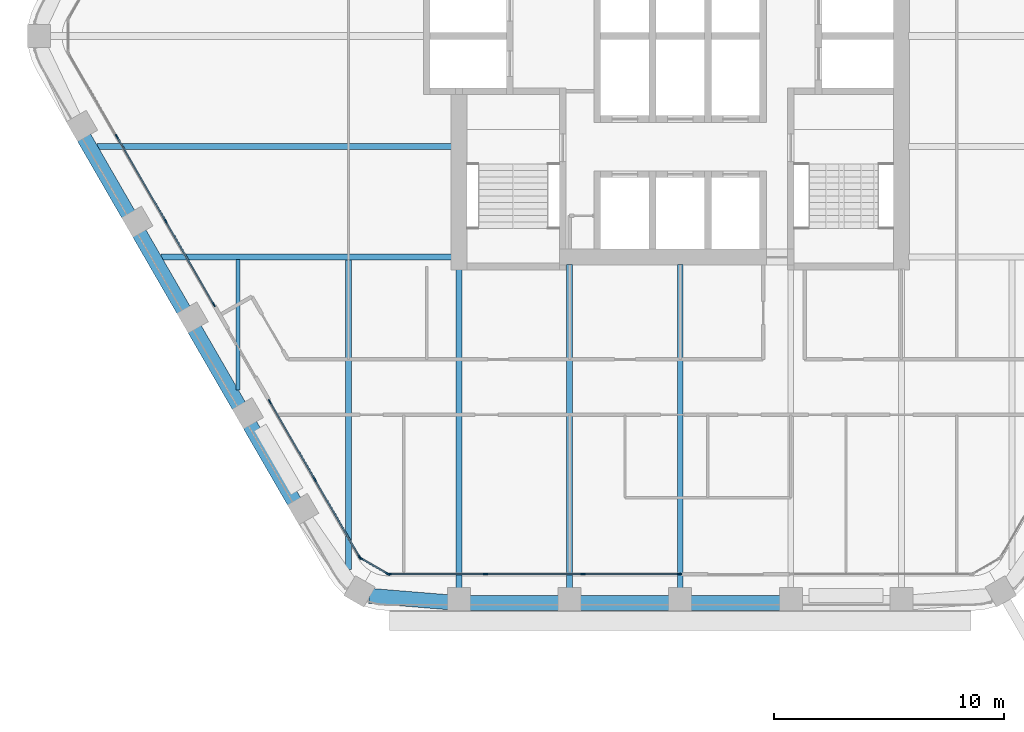
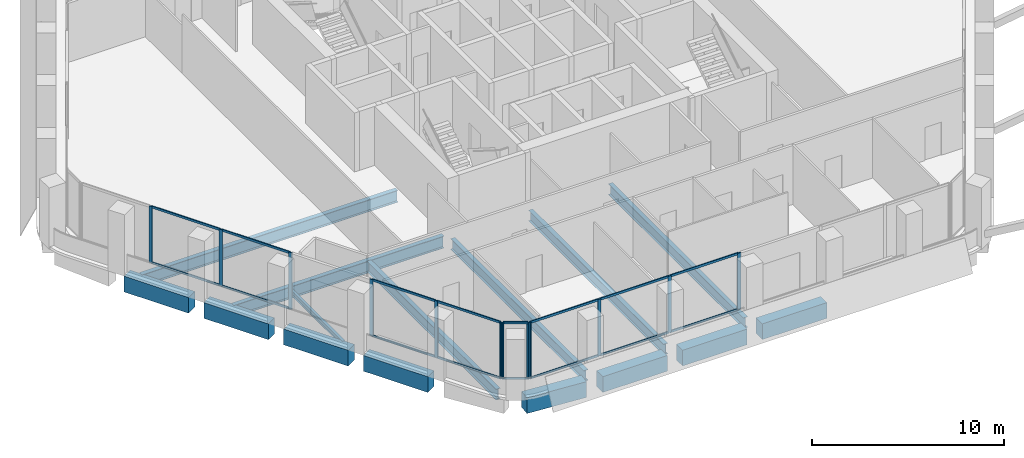
# One storey, part 2 of 16: 28 members, 15 beams, 4 elements without a shape of their own.
"""IFC4 building model written with IfcOpenShell, lengths in metres."""

import ifcopenshell
import ifcopenshell.guid

model = None  # the IFC model being written
_history = None  # IfcOwnerHistory: only IFC2X3 demands one
_inside = {}  # id of a spatial element -> (the spatial element, [elements in it])
_under = {}  # id of a project, library or spatial element -> (it, [spatial elements below it])
_declared = {}  # id of a project -> (the project, [libraries it declares])
_typed = {}  # id of a type object -> (the type object, [elements of that type])
_made_of = {}  # id of a material, layer set ... -> (it, [elements and type objects made of it])


def new_model(schema):
    """Start an empty IFC model of exactly this schema.

    Asked for "IFC4X3", IfcOpenShell would pick the latest addendum, in which some entities
    have other attributes; the version numbers below select the first issue.
    IFC2X3 requires an IfcOwnerHistory on every rooted entity: one is made here for all.
    """
    global model, _history
    if schema == "IFC4X3":
        model = ifcopenshell.file(schema_version=(4, 3, 0, 0))
    else:
        model = ifcopenshell.file(schema=schema)
    _inside.clear()
    _under.clear()
    _declared.clear()
    _typed.clear()
    _made_of.clear()
    _history = None
    if model.schema == "IFC2X3":
        org = make("IfcOrganization", Name="unknown")
        user = make(
            "IfcPersonAndOrganization",
            ThePerson=make("IfcPerson", FamilyName="unknown"),
            TheOrganization=org,
        )
        app = make(
            "IfcApplication",
            ApplicationDeveloper=org,
            Version="unknown",
            ApplicationFullName="unknown",
            ApplicationIdentifier="unknown",
        )
        _history = make(
            "IfcOwnerHistory",
            OwningUser=user,
            OwningApplication=app,
            ChangeAction="ADDED",
            CreationDate=0,
        )
    return model


def make(cls, **values):
    """One entity of the class cls with the attributes given. An attribute that is None is left unset."""
    return model.create_entity(
        cls, **{name: value for name, value in values.items() if value is not None}
    )


def rooted(cls, **values):
    """An entity with a GlobalId (a new one), such as an element, a storey or a relation."""
    return make(cls, GlobalId=ifcopenshell.guid.new(), OwnerHistory=_history, **values)


def si_unit(unit_type, name, prefix=None):
    """IfcSIUnit, for example si_unit("LENGTHUNIT", "METRE", prefix="MILLI")."""
    return make("IfcSIUnit", UnitType=unit_type, Prefix=prefix, Name=name)


def assignment(units):
    """IfcUnitAssignment: the units of a project."""
    return None if units is None else make("IfcUnitAssignment", Units=units)


def point(xyz):
    """IfcCartesianPoint."""
    return None if xyz is None else make("IfcCartesianPoint", Coordinates=xyz)


def direction(xyz):
    """IfcDirection."""
    return None if xyz is None else make("IfcDirection", DirectionRatios=xyz)


def frame(location, z_axis=None, x_axis=None):
    """IfcAxis2Placement3D, a coordinate frame: its origin and axes. An axis left out is left unset."""
    return make(
        "IfcAxis2Placement3D",
        Location=point(location),
        Axis=direction(z_axis),
        RefDirection=direction(x_axis),
    )


def frame_2d(location, x_axis=None):
    """IfcAxis2Placement2D, a coordinate frame in the plane: its origin and x axis."""
    return make(
        "IfcAxis2Placement2D", Location=point(location), RefDirection=direction(x_axis)
    )


def origin():
    """The frame at (0, 0, 0) with its axes left unset."""
    return frame((0.0, 0.0, 0.0))


def origin_2d():
    """The frame at (0, 0) in the plane with its x axis left unset."""
    return frame_2d((0.0, 0.0))


def place(relative_to, where):
    """IfcLocalPlacement: puts the frame where relative to a parent placement (None: the world)."""
    return make(
        "IfcLocalPlacement", PlacementRelTo=relative_to, RelativePlacement=where
    )


def context(
    kind, dimensions, precision=None, world=None, true_north=None, identifier=None
):
    """IfcGeometricRepresentationContext, for example the 3D "Model" context."""
    return make(
        "IfcGeometricRepresentationContext",
        ContextIdentifier=identifier,
        ContextType=kind,
        CoordinateSpaceDimension=dimensions,
        Precision=precision,
        WorldCoordinateSystem=world,
        TrueNorth=true_north,
    )


def subcontext(parent, identifier, kind, view, scale=None):
    """IfcGeometricRepresentationSubContext, for example "Body" below "Model"."""
    return make(
        "IfcGeometricRepresentationSubContext",
        ContextIdentifier=identifier,
        ContextType=kind,
        ParentContext=parent,
        TargetScale=scale,
        TargetView=view,
    )


def project(units=None, contexts=None):
    """IfcProject with its units and contexts."""
    return rooted(
        "IfcProject",
        Name="project",
        RepresentationContexts=contexts,
        UnitsInContext=assignment(units),
    )


def spatial(cls, under=None, at=None, **own):
    """A site, building, storey or space (cls), placed at a placement, below another one or the project."""
    s = rooted(cls, ObjectPlacement=at, **own)
    if under is not None:
        _under.setdefault(under.id(), (under, []))[1].append(s)
    return s


def profile(cls, at=None, kind="AREA", **sizes):
    """A parametric profile (cls). Its sizes go by their IFC names, for example OverallWidth=200.0."""
    return make(cls, ProfileType=kind, Position=at, **sizes)


def rectangle(**sizes):
    """IfcRectangleProfileDef."""
    return profile("IfcRectangleProfileDef", **sizes)


def i_section(**sizes):
    """IfcIShapeProfileDef."""
    return profile("IfcIShapeProfileDef", **sizes)


def extrude(swept, where, along, depth):
    """IfcExtrudedAreaSolid: the profile swept, set in the frame where, extruded along a direction by depth."""
    return make(
        "IfcExtrudedAreaSolid",
        SweptArea=swept,
        Position=where,
        ExtrudedDirection=direction(along),
        Depth=depth,
    )


def shape(context_of_items, identifier, shape_type, items):
    """IfcShapeRepresentation: the items that make up one representation, for example the "Body"."""
    return make(
        "IfcShapeRepresentation",
        ContextOfItems=context_of_items,
        RepresentationIdentifier=identifier,
        RepresentationType=shape_type,
        Items=items,
    )


def material(Name=None, Category=None):
    """IfcMaterial."""
    return make("IfcMaterial", Name=Name, Category=Category)


def material_profile(
    of_material, cross_section, Name=None, Category=None, Priority=None
):
    """IfcMaterialProfile: a cross section and its material."""
    return make(
        "IfcMaterialProfile",
        Name=Name,
        Material=of_material,
        Profile=cross_section,
        Priority=Priority,
        Category=Category,
    )


def profile_set(profiles, Name=None, composite=None):
    """IfcMaterialProfileSet."""
    return make(
        "IfcMaterialProfileSet",
        Name=Name,
        MaterialProfiles=profiles,
        CompositeProfile=composite,
    )


def made_of(thing, what):
    """Note that an element or type object is made of a material, layer set ...; save() writes the relation."""
    if what is not None:
        _made_of.setdefault(what.id(), (what, []))[1].append(thing)
    return thing


def type_object(cls, material=None, **own):
    """A type object (cls), such as IfcWallType, which elements share."""
    return made_of(rooted(cls, **own), material)


def element(
    cls,
    number,
    at=None,
    inside=None,
    cuts=None,
    type_object=None,
    material=None,
    context=None,
    identifier="Body",
    shape_type=None,
    held_by="IfcProductDefinitionShape",
    body=None,
    shapes=None,
    **own,
):
    """One element of the class cls, such as IfcWall. Its Tag is "e" and its number.

    at: its placement. inside: the storey or other place that contains it. cuts: it is an
    opening in that element (IfcRelVoidsElement). A single representation is given by context,
    identifier, shape_type and body (its items); several are given by shapes. held_by: the class
    of the entity that holds the representations. save() writes the other relations.
    """
    e = rooted(cls, Tag="e%d" % number, ObjectPlacement=at, **own)
    if body is not None:
        shapes = [shape(context, identifier, shape_type, body)]
    if shapes is not None:
        e.Representation = make(held_by, Representations=shapes)
    if inside is not None:
        _inside.setdefault(inside.id(), (inside, []))[1].append(e)
    if cuts is not None:
        rooted(
            "IfcRelVoidsElement", RelatingBuildingElement=cuts, RelatedOpeningElement=e
        )
    if type_object is not None:
        _typed.setdefault(type_object.id(), (type_object, []))[1].append(e)
    return made_of(e, material)


def aggregate(whole, parts):
    """IfcRelAggregates: a whole, such as a stair, and the parts it consists of."""
    return rooted("IfcRelAggregates", RelatingObject=whole, RelatedObjects=parts)


def save(model, path):
    """Write the relations noted so far, then the file.

    IfcRelAggregates (storeys below a building ...), IfcRelContainedInSpatialStructure (elements
    in a storey), IfcRelDefinesByType, IfcRelAssociatesMaterial and IfcRelDeclares: one each for
    every whole, place, type object, material and project.
    """
    for whole, parts in _under.values():
        aggregate(whole, parts)
    for where, things in _inside.values():
        rooted(
            "IfcRelContainedInSpatialStructure",
            RelatedElements=things,
            RelatingStructure=where,
        )
    for kind, things in _typed.values():
        rooted("IfcRelDefinesByType", RelatedObjects=things, RelatingType=kind)
    for what, things in _made_of.values():
        rooted("IfcRelAssociatesMaterial", RelatedObjects=things, RelatingMaterial=what)
    for by, libraries in _declared.values():
        rooted("IfcRelDeclares", RelatingContext=by, RelatedDefinitions=libraries)
    model.write(path)


model = new_model("IFC4")

# Units and contexts
model_context = context("Model", 3, precision=1e-05, world=origin(), true_north=direction((0.0, 1.0)))
body_context = subcontext(model_context, "Body", "Model", "MODEL_VIEW")
ifc_project = project(units=[si_unit("LENGTHUNIT", "METRE"), si_unit("AREAUNIT", "SQUARE_METRE"), si_unit("VOLUMEUNIT", "CUBIC_METRE"), si_unit("PLANEANGLEUNIT", "RADIAN"), si_unit("MASSUNIT", "GRAM", prefix="KILO")], contexts=[model_context])

# Site, building, storey
site_placement = place(None, origin())
site = spatial("IfcSite", under=ifc_project, at=site_placement, CompositionType="ELEMENT")
building_placement = place(site_placement, origin())
building = spatial("IfcBuilding", under=site, at=building_placement, Name="Kolab Exchange Tower", CompositionType="ELEMENT")
storey_placement = place(building_placement, frame((0.0, 0.0, 177.800048828125)))
storey = spatial("IfcBuildingStorey", under=building, at=storey_placement, Name="L37", CompositionType="ELEMENT", Elevation=177.800048828125)

# Beams
ifc_material_1 = material(Name="Steel S355", Category="steel")
ifc_material_profile_1 = material_profile(ifc_material_1, i_section(OverallWidth=0.1650390625, OverallDepth=0.31005859375, WebThickness=0.005859375, FlangeThickness=0.009765625, at=origin_2d()), Name="W310X39")
ifc_profile_set_1 = profile_set([ifc_material_profile_1], Name="Steel S355")
beam_type_1 = type_object("IfcBeamType", Name="FLOOR BEAM W310X39", PredefinedType="BEAM", material=ifc_profile_set_1)
beam_1_placement = place(storey_placement, frame((-19.199951171875, -15.36767578125, -0.304931640625), z_axis=(0.0, 1.0, 0.0), x_axis=(-1.0, 0.0, 0.0)))
element("IfcBeam", 1, at=beam_1_placement, inside=storey, type_object=beam_type_1, Name="beam/L37/fr/003", PredefinedType="BEAM", context=body_context, shape_type="SweptSolid", body=[
    extrude(i_section(OverallWidth=0.1650390625, OverallDepth=0.31005859375, WebThickness=0.005859375, FlangeThickness=0.009765625, at=origin_2d()), origin(), (0.0, 0.0, 1.0), 5.674072265625),
])
ifc_material_profile_2 = material_profile(ifc_material_1, i_section(OverallWidth=0.25390625, OverallDepth=0.68408203125, WebThickness=0.012451171875, FlangeThickness=0.018798828125, at=origin_2d()), Name="W690X140")
ifc_profile_set_2 = profile_set([ifc_material_profile_2], Name="Steel S355")
beam_type_2 = type_object("IfcBeamType", Name="FLOOR BEAM W690X140", PredefinedType="BEAM", material=ifc_profile_set_2)
beam_2_placement = place(storey_placement, frame((-14.39990234375, -23.15576171875, -0.491943359375), z_axis=(0.0, 1.0, 0.0), x_axis=(-1.0, 0.0, 0.0)))
element("IfcBeam", 2, at=beam_2_placement, inside=storey, type_object=beam_type_2, Name="beam/L37/fr/005", PredefinedType="BEAM", context=body_context, shape_type="SweptSolid", body=[
    extrude(i_section(OverallWidth=0.25390625, OverallDepth=0.68408203125, WebThickness=0.012451171875, FlangeThickness=0.018798828125, at=origin_2d()), origin(), (0.0, 0.0, 1.0), 13.462158203125),
])
beam_3_placement = place(storey_placement, frame((-9.60009765625, -23.9814453125, -0.491943359375), z_axis=(0.0, 1.0, 0.0), x_axis=(-1.0, 0.0, 0.0)))
element("IfcBeam", 3, at=beam_3_placement, inside=storey, type_object=beam_type_2, Name="beam/L37/fr/007", PredefinedType="BEAM", context=body_context, shape_type="SweptSolid", body=[
    extrude(i_section(OverallWidth=0.25390625, OverallDepth=0.68408203125, WebThickness=0.012451171875, FlangeThickness=0.018798828125, at=origin_2d()), origin(), (0.0, 0.0, 1.0), 13.871337890625),
])
for number, where, z_axis, x_axis, name in (
    (4, (-4.800048828125, -23.9814453125, -0.491943359375), (0.0, 1.0, 0.0), (-1.0, 0.0, 0.0), "beam/L37/fr/009"),
    (5, (0.0, -23.9814453125, -0.491943359375), (0.0, 1.0, 0.0), (-1.0, 0.0, 0.0), "beam/L37/fr/011"),
):
    element("IfcBeam", number, at=place(storey_placement, frame(where, z_axis=z_axis, x_axis=x_axis)), inside=storey, type_object=beam_type_2, Name=name, PredefinedType="BEAM", context=body_context, shape_type="SweptSolid", body=[
        extrude(i_section(OverallWidth=0.25390625, OverallDepth=0.68408203125, WebThickness=0.012451171875, FlangeThickness=0.018798828125, at=origin_2d()), origin(), (0.0, 0.0, 1.0), 14.071533203125),
    ])
ifc_material_profile_3 = material_profile(ifc_material_1, i_section(OverallWidth=0.26708984375, OverallDepth=0.761962890625, WebThickness=0.014404296875, FlangeThickness=0.021484375, at=origin_2d()), Name="W760X173")
ifc_profile_set_3 = profile_set([ifc_material_profile_3], Name="Steel S355")
beam_type_3 = type_object("IfcBeamType", Name="FLOOR BEAM W760X173", PredefinedType="BEAM", material=ifc_profile_set_3)
beam_4_placement = place(storey_placement, frame((-25.318115234375, -4.800048828125, -0.531005859375), z_axis=(1.0, 0.0, 0.0), x_axis=(0.0, 1.0, 0.0)))
element("IfcBeam", 6, at=beam_4_placement, inside=storey, type_object=beam_type_3, Name="beam/L37/fr/001", PredefinedType="BEAM", context=body_context, shape_type="SweptSolid", body=[
    extrude(i_section(OverallWidth=0.26708984375, OverallDepth=0.761962890625, WebThickness=0.014404296875, FlangeThickness=0.021484375, at=origin_2d()), origin(), (0.0, 0.0, 1.0), 15.408203125),
])
ifc_material_profile_4 = material_profile(ifc_material_1, i_section(OverallWidth=0.26708984375, OverallDepth=0.761962890625, WebThickness=0.014404296875, FlangeThickness=0.021484375, at=origin_2d()), Name="W760X173")
ifc_profile_set_4 = profile_set([ifc_material_profile_4], Name="Steel S355")
beam_type_4 = type_object("IfcBeamType", Name="FLOOR GIRDER W760X173", PredefinedType="BEAM", material=ifc_profile_set_4)
beam_5_placement = place(storey_placement, frame((-22.546875, -9.60009765625, -0.531005859375), z_axis=(1.0, 0.0, 0.0), x_axis=(0.0, 1.0, 0.0)))
element("IfcBeam", 7, at=beam_5_placement, inside=storey, type_object=beam_type_4, Name="beam/L37/gd/000", PredefinedType="BEAM", context=body_context, shape_type="SweptSolid", body=[
    extrude(i_section(OverallWidth=0.26708984375, OverallDepth=0.761962890625, WebThickness=0.014404296875, FlangeThickness=0.021484375, at=origin_2d()), origin(), (0.0, 0.0, 1.0), 12.636962890625),
])
ifc_material_2 = material(Name="Concrete C60/75", Category="concrete")
ifc_material_profile_5 = material_profile(ifc_material_2, rectangle(XDim=0.64990234375, YDim=1.0, at=origin_2d()), Name="RC650X1000")
ifc_profile_set_5 = profile_set([ifc_material_profile_5], Name="Concrete C60/75")
beam_type_5 = type_object("IfcBeamType", Name="SPANDREL BEAM 650X1000 C60/75", PredefinedType="BEAM", material=ifc_profile_set_5)
for number, where, z_axis, x_axis, name in (
    (8, (4.340087890625, -24.616455078125, -0.650146484375), (-1.0, 0.0, 0.0), (0.0, -1.0, 0.0), "beam/L37/sp/F4-03"),
    (9, (-0.4599609375, -24.616455078125, -0.650146484375), (-1.0, 0.0, 0.0), (0.0, -1.0, 0.0), "beam/L37/sp/F4-04"),
):
    element("IfcBeam", number, at=place(storey_placement, frame(where, z_axis=z_axis, x_axis=x_axis)), inside=storey, type_object=beam_type_5, Name=name, PredefinedType="BEAM", context=body_context, shape_type="SweptSolid", body=[
        extrude(rectangle(XDim=0.64990234375, YDim=1.0, at=origin_2d()), origin(), (0.0, 0.0, 1.0), 3.880126953125),
    ])
beam_6_placement = place(storey_placement, frame((-5.260009765625, -24.616455078125, -0.650146484375), z_axis=(-1.0, 0.0, 0.0), x_axis=(0.0, -1.0, 0.0)))
element("IfcBeam", 10, at=beam_6_placement, inside=storey, type_object=beam_type_5, Name="beam/L37/sp/F4-05", PredefinedType="BEAM", context=body_context, shape_type="SweptSolid", body=[
    extrude(rectangle(XDim=0.64990234375, YDim=1.0, at=origin_2d()), origin(), (0.0, 0.0, 1.0), 3.8798828125),
])
beam_7_placement = place(storey_placement, frame((-10.06005859375, -24.5791015625, -0.650146484375), z_axis=(-0.996708497182, 0.081068931445, 0.0), x_axis=(-0.081068931445, -0.996708497182, 0.0)))
element("IfcBeam", 11, at=beam_7_placement, inside=storey, type_object=beam_type_5, Name="beam/L37/sp/F4-06", PredefinedType="BEAM", context=body_context, shape_type="SweptSolid", body=[
    extrude(rectangle(XDim=0.64990234375, YDim=1.0, at=origin_2d()), origin(), (0.0, 0.0, 1.0), 3.445068359375),
])
beam_8_placement = place(storey_placement, frame((-16.74853515625, -20.2236328125, -0.650146484375), z_axis=(-0.499996613652, 0.866027358884, 0.0), x_axis=(-0.866027358884, -0.499996613652, 0.0)))
element("IfcBeam", 12, at=beam_8_placement, inside=storey, type_object=beam_type_5, Name="beam/L37/sp/F5-02", PredefinedType="BEAM", context=body_context, shape_type="SweptSolid", body=[
    extrude(rectangle(XDim=0.64990234375, YDim=1.0, at=origin_2d()), origin(), (0.0, 0.0, 1.0), 3.8798828125),
])
beam_9_placement = place(storey_placement, frame((-19.1484375, -16.06689453125, -0.650146484375), z_axis=(-0.50001655835, 0.866015843605, 0.0), x_axis=(-0.866015843605, -0.50001655835, 0.0)))
element("IfcBeam", 13, at=beam_9_placement, inside=storey, type_object=beam_type_5, Name="beam/L37/sp/F5-03", PredefinedType="BEAM", context=body_context, shape_type="SweptSolid", body=[
    extrude(rectangle(XDim=0.64990234375, YDim=1.0, at=origin_2d()), origin(), (0.0, 0.0, 1.0), 3.880126953125),
])
for number, where, z_axis, x_axis, name in (
    (14, (-21.548583984375, -11.909912109375, -0.650146484375), (-0.499996613652, 0.866027358884, 0.0), (-0.866027358884, -0.499996613652, 0.0), "beam/L37/sp/F5-04"),
    (15, (-23.948486328125, -7.7529296875, -0.650146484375), (-0.499996613652, 0.866027358884, 0.0), (-0.866027358884, -0.499996613652, 0.0), "beam/L37/sp/F5-05"),
):
    element("IfcBeam", number, at=place(storey_placement, frame(where, z_axis=z_axis, x_axis=x_axis)), inside=storey, type_object=beam_type_5, Name=name, PredefinedType="BEAM", context=body_context, shape_type="SweptSolid", body=[
        extrude(rectangle(XDim=0.64990234375, YDim=1.0, at=origin_2d()), origin(), (0.0, 0.0, 1.0), 3.8798828125),
    ])

# Curtain wall, members
ifc_material_3 = material(Name="Aluminium EN AW-6063 T6", Category="aluminium")
curtain_wall_type = type_object("IfcCurtainWallType", Name="UNITISED UPPER MID ZONE CURTAIN WALL", PredefinedType="NOTDEFINED", material=ifc_material_3)
curtain_wall_1_placement = place(storey_placement, origin())
curtain_wall_1 = element("IfcCurtainWall", 16, at=curtain_wall_1_placement, inside=storey, type_object=curtain_wall_type, Name="cw/L37/F4-2", PredefinedType="NOTDEFINED")
ifc_material_profile_6 = material_profile(ifc_material_3, rectangle(XDim=0.06005859375, YDim=0.199951171875, at=origin_2d()), Name="RECT 60X200")
ifc_profile_set_6 = profile_set([ifc_material_profile_6], Name="Aluminium EN AW-6063 T6")
member_type_1 = type_object("IfcMemberType", Name="UNITISED UPPER MID ZONE MULLION 60 X 200", PredefinedType="MULLION", material=ifc_profile_set_6)
member_1_placement = place(storey_placement, frame((-0.030029296875, -23.361572265625, 0.0), z_axis=(0.0, 0.0, 1.0), x_axis=(0.0, -1.0, 0.0)))
member_1 = element("IfcMember", 17, at=member_1_placement, type_object=member_type_1, Name="CW3 mullion 1", PredefinedType="MULLION", context=body_context, shape_type="SweptSolid", body=[
    extrude(rectangle(XDim=0.06005859375, YDim=0.199951171875, at=origin_2d()), origin(), (0.0, 0.0, 1.0), 3.599853515625),
])
member_2_placement = place(storey_placement, frame((-4.22265625, -23.361572265625, 0.0), z_axis=(0.0, 0.0, 1.0), x_axis=(0.0, -1.0, 0.0)))
member_2 = element("IfcMember", 18, at=member_2_placement, type_object=member_type_1, Name="CW3 mullion 2", PredefinedType="MULLION", context=body_context, shape_type="SweptSolid", body=[
    extrude(rectangle(XDim=0.06005859375, YDim=0.199951171875, at=origin_2d()), origin(), (0.0, 0.0, 1.0), 3.599853515625),
])
member_3_placement = place(storey_placement, frame((-8.4453125, -23.361572265625, 0.0), z_axis=(0.0, 0.0, 1.0), x_axis=(0.0, -1.0, 0.0)))
member_3 = element("IfcMember", 19, at=member_3_placement, type_object=member_type_1, Name="CW3 mullion 3", PredefinedType="MULLION", context=body_context, shape_type="SweptSolid", body=[
    extrude(rectangle(XDim=0.06005859375, YDim=0.199951171875, at=origin_2d()), origin(), (0.0, 0.0, 1.0), 3.599853515625),
])
member_4_placement = place(storey_placement, frame((-12.637939453125, -23.361572265625, 0.0), z_axis=(0.0, 0.0, 1.0), x_axis=(0.0, -1.0, 0.0)))
member_4 = element("IfcMember", 20, at=member_4_placement, type_object=member_type_1, Name="CW3 mullion 4", PredefinedType="MULLION", context=body_context, shape_type="SweptSolid", body=[
    extrude(rectangle(XDim=0.06005859375, YDim=0.199951171875, at=origin_2d()), origin(), (0.0, 0.0, 1.0), 3.599853515625),
])

curtain_wall_2_placement = place(storey_placement, origin())
curtain_wall_2 = element("IfcCurtainWall", 21, at=curtain_wall_2_placement, inside=storey, type_object=curtain_wall_type, Name="cw/L37/F5-1", PredefinedType="NOTDEFINED")
member_5_placement = place(storey_placement, frame((-13.91259765625, -22.62548828125, 0.0), z_axis=(0.0, 0.0, 1.0), x_axis=(-0.866025385493, -0.500000031681, 0.0)))
member_5 = element("IfcMember", 22, at=member_5_placement, type_object=member_type_1, Name="CW3 mullion 1", PredefinedType="MULLION", context=body_context, shape_type="SweptSolid", body=[
    extrude(rectangle(XDim=0.06005859375, YDim=0.199951171875, at=origin_2d()), origin(), (0.0, 0.0, 1.0), 3.599853515625),
])
member_6_placement = place(storey_placement, frame((-15.86474609375, -19.24462890625, 0.0), z_axis=(0.0, 0.0, 1.0), x_axis=(-0.866025385493, -0.500000031681, 0.0)))
member_6 = element("IfcMember", 23, at=member_6_placement, type_object=member_type_1, Name="CW3 mullion 2", PredefinedType="MULLION", context=body_context, shape_type="SweptSolid", body=[
    extrude(rectangle(XDim=0.06005859375, YDim=0.199951171875, at=origin_2d()), origin(), (0.0, 0.0, 1.0), 3.599853515625),
])
member_7_placement = place(storey_placement, frame((-17.816650390625, -15.86376953125, 0.0), z_axis=(0.0, 0.0, 1.0), x_axis=(-0.866025385493, -0.500000031681, 0.0)))
member_7 = element("IfcMember", 24, at=member_7_placement, type_object=member_type_1, Name="CW3 mullion 3", PredefinedType="MULLION", context=body_context, shape_type="SweptSolid", body=[
    extrude(rectangle(XDim=0.06005859375, YDim=0.199951171875, at=origin_2d()), origin(), (0.0, 0.0, 1.0), 3.599853515625),
])

curtain_wall_3_placement = place(storey_placement, origin())
curtain_wall_3 = element("IfcCurtainWall", 25, at=curtain_wall_3_placement, inside=storey, type_object=curtain_wall_type, Name="cw/L37/F5-2", PredefinedType="NOTDEFINED")
member_8_placement = place(storey_placement, frame((-20.24658203125, -11.65478515625, 0.0), z_axis=(0.0, 0.0, 1.0), x_axis=(-0.866025427826, -0.499999958358, 0.0)))
member_8 = element("IfcMember", 26, at=member_8_placement, type_object=member_type_1, Name="CW3 mullion 1", PredefinedType="MULLION", context=body_context, shape_type="SweptSolid", body=[
    extrude(rectangle(XDim=0.06005859375, YDim=0.199951171875, at=origin_2d()), origin(), (0.0, 0.0, 1.0), 3.599853515625),
])
member_9_placement = place(storey_placement, frame((-22.343017578125, -8.02392578125, 0.0), z_axis=(0.0, 0.0, 1.0), x_axis=(-0.866025427826, -0.499999958358, 0.0)))
member_9 = element("IfcMember", 27, at=member_9_placement, type_object=member_type_1, Name="CW3 mullion 2", PredefinedType="MULLION", context=body_context, shape_type="SweptSolid", body=[
    extrude(rectangle(XDim=0.06005859375, YDim=0.199951171875, at=origin_2d()), origin(), (0.0, 0.0, 1.0), 3.599853515625),
])
member_10_placement = place(storey_placement, frame((-24.454345703125, -4.366943359375, 0.0), z_axis=(0.0, 0.0, 1.0), x_axis=(-0.866025427826, -0.499999958358, 0.0)))
member_10 = element("IfcMember", 28, at=member_10_placement, type_object=member_type_1, Name="CW3 mullion 3", PredefinedType="MULLION", context=body_context, shape_type="SweptSolid", body=[
    extrude(rectangle(XDim=0.06005859375, YDim=0.199951171875, at=origin_2d()), origin(), (0.0, 0.0, 1.0), 3.599853515625),
])

curtain_wall_4_placement = place(storey_placement, origin())
curtain_wall_4 = element("IfcCurtainWall", 29, at=curtain_wall_4_placement, inside=storey, type_object=curtain_wall_type, Name="cw/L37/F4F5-corner", PredefinedType="NOTDEFINED")
member_11_placement = place(storey_placement, frame((-12.69384765625, -23.346435546875, 0.0), z_axis=(0.0, 0.0, 1.0), x_axis=(-0.50000002237, -0.866025390869, 0.0)))
member_11 = element("IfcMember", 30, at=member_11_placement, type_object=member_type_1, Name="CW3 mullion 1", PredefinedType="MULLION", context=body_context, shape_type="SweptSolid", body=[
    extrude(rectangle(XDim=0.06005859375, YDim=0.199951171875, at=origin_2d()), origin(), (0.0, 0.0, 1.0), 3.599853515625),
])
member_12_placement = place(storey_placement, frame((-13.871826171875, -22.66650390625, 0.0), z_axis=(0.0, 0.0, 1.0), x_axis=(-0.50000002237, -0.866025390869, 0.0)))
member_12 = element("IfcMember", 31, at=member_12_placement, type_object=member_type_1, Name="CW3 mullion 2", PredefinedType="MULLION", context=body_context, shape_type="SweptSolid", body=[
    extrude(rectangle(XDim=0.06005859375, YDim=0.199951171875, at=origin_2d()), origin(), (0.0, 0.0, 1.0), 3.599853515625),
])

# Member
ifc_material_profile_7 = material_profile(ifc_material_3, rectangle(XDim=0.06005859375, YDim=0.139892578125, at=origin_2d()), Name="RECT 60X140")
ifc_profile_set_7 = profile_set([ifc_material_profile_7], Name="Aluminium EN AW-6063 T6")
member_type_2 = type_object("IfcMemberType", Name="UNITISED UPPER MID ZONE TRANSOM 60 X 140", PredefinedType="USERDEFINED", material=ifc_profile_set_7)
member_13_placement = place(storey_placement, frame((-0.06005859375, -23.361572265625, 0.030029296875), z_axis=(-1.0, 0.0, 0.0), x_axis=(0.0, -1.0, 0.0)))
member_13 = element("IfcMember", 32, at=member_13_placement, type_object=member_type_2, Name="CW3 transom 1.1", ObjectType="TRANSOM", PredefinedType="USERDEFINED", context=body_context, shape_type="SweptSolid", body=[
    extrude(rectangle(XDim=0.06005859375, YDim=0.139892578125, at=origin_2d()), origin(), (0.0, 0.0, 1.0), 4.132568359375),
])

member_14_placement = place(storey_placement, frame((-0.06005859375, -23.361572265625, 3.570068359375), z_axis=(-1.0, 0.0, 0.0), x_axis=(0.0, -1.0, 0.0)))
member_14 = element("IfcMember", 33, at=member_14_placement, type_object=member_type_2, Name="CW3 transom 1.2", ObjectType="TRANSOM", PredefinedType="USERDEFINED", context=body_context, shape_type="SweptSolid", body=[
    extrude(rectangle(XDim=0.06005859375, YDim=0.139892578125, at=origin_2d()), origin(), (0.0, 0.0, 1.0), 4.132568359375),
])

member_15_placement = place(storey_placement, frame((-4.252685546875, -23.361572265625, 0.030029296875), z_axis=(-1.0, 0.0, 0.0), x_axis=(0.0, -1.0, 0.0)))
member_15 = element("IfcMember", 34, at=member_15_placement, type_object=member_type_2, Name="CW3 transom 2.1", ObjectType="TRANSOM", PredefinedType="USERDEFINED", context=body_context, shape_type="SweptSolid", body=[
    extrude(rectangle(XDim=0.06005859375, YDim=0.139892578125, at=origin_2d()), origin(), (0.0, 0.0, 1.0), 4.16259765625),
])

member_16_placement = place(storey_placement, frame((-4.252685546875, -23.361572265625, 3.570068359375), z_axis=(-1.0, 0.0, 0.0), x_axis=(0.0, -1.0, 0.0)))
member_16 = element("IfcMember", 35, at=member_16_placement, type_object=member_type_2, Name="CW3 transom 2.2", ObjectType="TRANSOM", PredefinedType="USERDEFINED", context=body_context, shape_type="SweptSolid", body=[
    extrude(rectangle(XDim=0.06005859375, YDim=0.139892578125, at=origin_2d()), origin(), (0.0, 0.0, 1.0), 4.16259765625),
])

member_17_placement = place(storey_placement, frame((-8.475341796875, -23.361572265625, 0.030029296875), z_axis=(-1.0, 0.0, 0.0), x_axis=(0.0, -1.0, 0.0)))
member_17 = element("IfcMember", 36, at=member_17_placement, type_object=member_type_2, Name="CW3 transom 3.1", ObjectType="TRANSOM", PredefinedType="USERDEFINED", context=body_context, shape_type="SweptSolid", body=[
    extrude(rectangle(XDim=0.06005859375, YDim=0.139892578125, at=origin_2d()), origin(), (0.0, 0.0, 1.0), 4.132568359375),
])

member_18_placement = place(storey_placement, frame((-8.475341796875, -23.361572265625, 3.570068359375), z_axis=(-1.0, 0.0, 0.0), x_axis=(0.0, -1.0, 0.0)))
member_18 = element("IfcMember", 37, at=member_18_placement, type_object=member_type_2, Name="CW3 transom 3.2", ObjectType="TRANSOM", PredefinedType="USERDEFINED", context=body_context, shape_type="SweptSolid", body=[
    extrude(rectangle(XDim=0.06005859375, YDim=0.139892578125, at=origin_2d()), origin(), (0.0, 0.0, 1.0), 4.132568359375),
])

aggregate(curtain_wall_1, [member_1, member_2, member_3, member_4, member_13, member_14, member_15, member_16, member_17, member_18])

member_19_placement = place(storey_placement, frame((-13.927734375, -22.599609375, 0.030029296875), z_axis=(-0.499964356602, 0.866045981532, 0.0), x_axis=(-0.866045981532, -0.499964356602, 0.0)))
member_19 = element("IfcMember", 38, at=member_19_placement, type_object=member_type_2, Name="CW3 transom 1.1", ObjectType="TRANSOM", PredefinedType="USERDEFINED", context=body_context, shape_type="SweptSolid", body=[
    extrude(rectangle(XDim=0.06005859375, YDim=0.139892578125, at=origin_2d()), origin(), (0.0, 0.0, 1.0), 3.843994140625),
])

member_20_placement = place(storey_placement, frame((-13.927734375, -22.599609375, 3.570068359375), z_axis=(-0.499964356602, 0.866045981532, 0.0), x_axis=(-0.866045981532, -0.499964356602, 0.0)))
member_20 = element("IfcMember", 39, at=member_20_placement, type_object=member_type_2, Name="CW3 transom 1.2", ObjectType="TRANSOM", PredefinedType="USERDEFINED", context=body_context, shape_type="SweptSolid", body=[
    extrude(rectangle(XDim=0.06005859375, YDim=0.139892578125, at=origin_2d()), origin(), (0.0, 0.0, 1.0), 3.843994140625),
])

member_21_placement = place(storey_placement, frame((-15.879638671875, -19.21875, 0.030029296875), z_axis=(-0.500011990396, 0.866018481016, 0.0), x_axis=(-0.866018481016, -0.500011990396, 0.0)))
member_21 = element("IfcMember", 40, at=member_21_placement, type_object=member_type_2, Name="CW3 transom 2.1", ObjectType="TRANSOM", PredefinedType="USERDEFINED", context=body_context, shape_type="SweptSolid", body=[
    extrude(rectangle(XDim=0.06005859375, YDim=0.139892578125, at=origin_2d()), origin(), (0.0, 0.0, 1.0), 3.84423828125),
])

member_22_placement = place(storey_placement, frame((-15.879638671875, -19.21875, 3.570068359375), z_axis=(-0.500011990396, 0.866018481016, 0.0), x_axis=(-0.866018481016, -0.500011990396, 0.0)))
member_22 = element("IfcMember", 41, at=member_22_placement, type_object=member_type_2, Name="CW3 transom 2.2", ObjectType="TRANSOM", PredefinedType="USERDEFINED", context=body_context, shape_type="SweptSolid", body=[
    extrude(rectangle(XDim=0.06005859375, YDim=0.139892578125, at=origin_2d()), origin(), (0.0, 0.0, 1.0), 3.84423828125),
])

aggregate(curtain_wall_2, [member_5, member_6, member_7, member_19, member_20, member_21, member_22])

member_23_placement = place(storey_placement, frame((-20.26171875, -11.62890625, 0.030029296875), z_axis=(-0.500001996123, 0.866024251319, 0.0), x_axis=(-0.866024251319, -0.500001996123, 0.0)))
member_23 = element("IfcMember", 42, at=member_23_placement, type_object=member_type_2, Name="CW3 transom 1.1", ObjectType="TRANSOM", PredefinedType="USERDEFINED", context=body_context, shape_type="SweptSolid", body=[
    extrude(rectangle(XDim=0.06005859375, YDim=0.139892578125, at=origin_2d()), origin(), (0.0, 0.0, 1.0), 4.1328125),
])

member_24_placement = place(storey_placement, frame((-20.26171875, -11.62890625, 3.570068359375), z_axis=(-0.500001996123, 0.866024251319, 0.0), x_axis=(-0.866024251319, -0.500001996123, 0.0)))
member_24 = element("IfcMember", 43, at=member_24_placement, type_object=member_type_2, Name="CW3 transom 1.2", ObjectType="TRANSOM", PredefinedType="USERDEFINED", context=body_context, shape_type="SweptSolid", body=[
    extrude(rectangle(XDim=0.06005859375, YDim=0.139892578125, at=origin_2d()), origin(), (0.0, 0.0, 1.0), 4.1328125),
])

member_25_placement = place(storey_placement, frame((-22.35791015625, -7.997802734375, 0.030029296875), z_axis=(-0.49999322259, 0.866029316688, 0.0), x_axis=(-0.866029316688, -0.49999322259, 0.0)))
member_25 = element("IfcMember", 44, at=member_25_placement, type_object=member_type_2, Name="CW3 transom 2.1", ObjectType="TRANSOM", PredefinedType="USERDEFINED", context=body_context, shape_type="SweptSolid", body=[
    extrude(rectangle(XDim=0.06005859375, YDim=0.139892578125, at=origin_2d()), origin(), (0.0, 0.0, 1.0), 4.16259765625),
])

member_26_placement = place(storey_placement, frame((-22.35791015625, -7.997802734375, 3.570068359375), z_axis=(-0.49999322259, 0.866029316688, 0.0), x_axis=(-0.866029316688, -0.49999322259, 0.0)))
member_26 = element("IfcMember", 45, at=member_26_placement, type_object=member_type_2, Name="CW3 transom 2.2", ObjectType="TRANSOM", PredefinedType="USERDEFINED", context=body_context, shape_type="SweptSolid", body=[
    extrude(rectangle(XDim=0.06005859375, YDim=0.139892578125, at=origin_2d()), origin(), (0.0, 0.0, 1.0), 4.16259765625),
])

aggregate(curtain_wall_3, [member_8, member_9, member_10, member_23, member_24, member_25, member_26])

member_27_placement = place(storey_placement, frame((-12.719970703125, -23.33154296875, 0.030029296875), z_axis=(-0.86603858612, 0.49997716683, 0.0), x_axis=(-0.49997716683, -0.86603858612, 0.0)))
member_27 = element("IfcMember", 46, at=member_27_placement, type_object=member_type_2, Name="CW3 transom 1.1", ObjectType="TRANSOM", PredefinedType="USERDEFINED", context=body_context, shape_type="SweptSolid", body=[
    extrude(rectangle(XDim=0.06005859375, YDim=0.139892578125, at=origin_2d()), origin(), (0.0, 0.0, 1.0), 1.2998046875),
])

member_28_placement = place(storey_placement, frame((-12.719970703125, -23.33154296875, 3.570068359375), z_axis=(-0.86603858612, 0.49997716683, 0.0), x_axis=(-0.49997716683, -0.86603858612, 0.0)))
member_28 = element("IfcMember", 47, at=member_28_placement, type_object=member_type_2, Name="CW3 transom 1.2", ObjectType="TRANSOM", PredefinedType="USERDEFINED", context=body_context, shape_type="SweptSolid", body=[
    extrude(rectangle(XDim=0.06005859375, YDim=0.139892578125, at=origin_2d()), origin(), (0.0, 0.0, 1.0), 1.2998046875),
])

aggregate(curtain_wall_4, [member_11, member_12, member_27, member_28])

save(model, "model.ifc")
